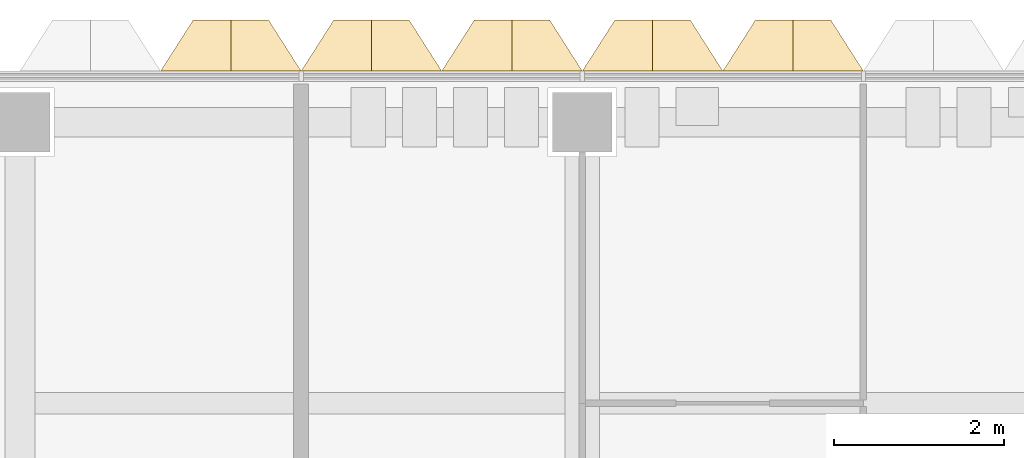
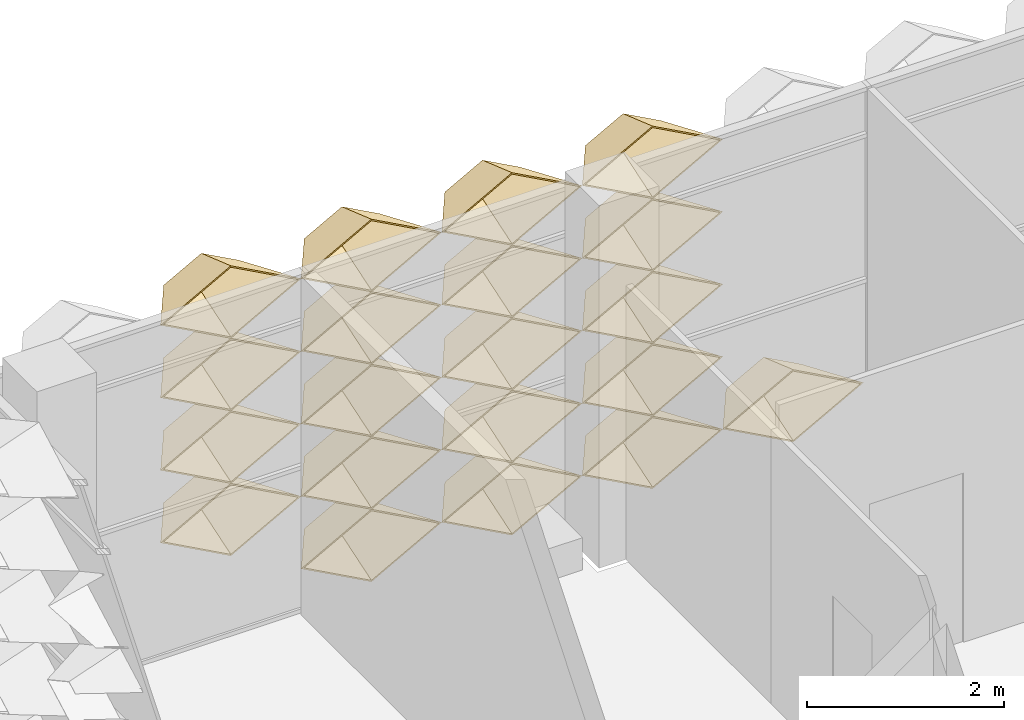
# One storey, part 25 of 29: 20 coverings.
"""IFC4 building model written with IfcOpenShell, lengths in metres."""

from ifc_helpers import new_model, entity, si_unit, direction, frame, origin, place, context, subcontext, project, spatial, material, layer, layer_set, type_object, element, save


model = new_model("IFC4")

# Units and contexts
model_context = context("Model", 3, precision=1e-05, world=origin(), true_north=direction((0.0, 1.0)))
body_context = subcontext(model_context, "Body", "Model", "MODEL_VIEW")
ifc_project = project(units=[si_unit("LENGTHUNIT", "METRE"), si_unit("AREAUNIT", "SQUARE_METRE"), si_unit("VOLUMEUNIT", "CUBIC_METRE"), si_unit("PLANEANGLEUNIT", "RADIAN"), si_unit("MASSUNIT", "GRAM", prefix="KILO")], contexts=[model_context])

# Site, building, storey
site_placement = place(None, origin())
site = spatial("IfcSite", under=ifc_project, at=site_placement, CompositionType="ELEMENT")
building_placement = place(site_placement, origin())
building = spatial("IfcBuilding", under=site, at=building_placement, Name="Lantern Court Research Institute", CompositionType="ELEMENT")
storey_placement = place(building_placement, frame((0.0, 0.0, 32.39990234375)))
storey = spatial("IfcBuildingStorey", under=building, at=storey_placement, Name="L07", CompositionType="ELEMENT", Elevation=32.39990234375)

# Coverings
ifc_material = material(Name="Anodised aluminium", Category="aluminium")
ifc_layer = layer(ifc_material, 0.01611328125)
ifc_layer_set = layer_set([ifc_layer], Name="Anodised aluminium")
covering_type = type_object("IfcCoveringType", Name="Fin cassette 1650 x 900 x 600 aluminium", PredefinedType="CLADDING", material=ifc_layer_set)
covering_1_placement = place(storey_placement, frame((56.925048828125, 23.699951171875, 0.4501953125), z_axis=(0.0, 1.0, 0.0), x_axis=(-1.0, 0.0, 0.0)))
cartesian_point_1 = entity("IfcCartesianPoint", [0.824951171875, 0.0])
cartesian_point_2 = entity("IfcCartesianPoint", [0.79150390625, 0.0])
cartesian_point_3 = entity("IfcCartesianPoint", [0.44189453125, 0.0])
cartesian_point_4 = entity("IfcCartesianPoint", [0.43359375, 0.0])
element("IfcCovering", 1, at=covering_1_placement, inside=storey, type_object=covering_type, Name="Fin cassette V5N-L07 1.35", PredefinedType="CLADDING", context=body_context, shape_type="SweptSolid", body=[
    entity("IfcExtrudedAreaSolidTapered", entity("IfcArbitraryProfileDefWithVoids", "AREA", None, entity("IfcPolyline", [cartesian_point_1, entity("IfcCartesianPoint", [0.0, 0.449951171875]), entity("IfcCartesianPoint", [-0.824951171875, 0.0]), entity("IfcCartesianPoint", [0.0, -0.449951171875]), cartesian_point_1]), [entity("IfcPolyline", [cartesian_point_2, entity("IfcCartesianPoint", [0.0, 0.431884765625]), entity("IfcCartesianPoint", [-0.79150390625, 0.0]), entity("IfcCartesianPoint", [0.0, -0.431884765625]), cartesian_point_2])]), entity("IfcAxis2Placement3D", entity("IfcCartesianPoint", [0.0, 0.0, 0.0])), entity("IfcDirection", [0.0, 0.0, 1.0]), 0.60009765625, entity("IfcArbitraryProfileDefWithVoids", "AREA", None, entity("IfcPolyline", [cartesian_point_3, entity("IfcCartesianPoint", [0.0, 0.240966796875]), entity("IfcCartesianPoint", [-0.44189453125, 0.0]), entity("IfcCartesianPoint", [0.0, -0.240966796875]), cartesian_point_3]), [entity("IfcPolyline", [cartesian_point_4, entity("IfcCartesianPoint", [0.0, 0.236572265625]), entity("IfcCartesianPoint", [-0.43359375, 0.0]), entity("IfcCartesianPoint", [0.0, -0.236572265625]), cartesian_point_4])])),
])
covering_2_placement = place(storey_placement, frame((58.574951171875, 23.699951171875, 0.4501953125), z_axis=(0.0, 1.0, 0.0), x_axis=(-1.0, 0.0, 0.0)))
cartesian_point_5 = entity("IfcCartesianPoint", [0.824951171875, 0.0])
cartesian_point_6 = entity("IfcCartesianPoint", [0.79150390625, 0.0])
cartesian_point_7 = entity("IfcCartesianPoint", [0.44189453125, 0.0])
cartesian_point_8 = entity("IfcCartesianPoint", [0.43359375, 0.0])
element("IfcCovering", 2, at=covering_2_placement, inside=storey, type_object=covering_type, Name="Fin cassette V5N-L07 1.36", PredefinedType="CLADDING", context=body_context, shape_type="SweptSolid", body=[
    entity("IfcExtrudedAreaSolidTapered", entity("IfcArbitraryProfileDefWithVoids", "AREA", None, entity("IfcPolyline", [cartesian_point_5, entity("IfcCartesianPoint", [0.0, 0.449951171875]), entity("IfcCartesianPoint", [-0.824951171875, 0.0]), entity("IfcCartesianPoint", [0.0, -0.449951171875]), cartesian_point_5]), [entity("IfcPolyline", [cartesian_point_6, entity("IfcCartesianPoint", [0.0, 0.431884765625]), entity("IfcCartesianPoint", [-0.79150390625, 0.0]), entity("IfcCartesianPoint", [0.0, -0.431884765625]), cartesian_point_6])]), entity("IfcAxis2Placement3D", entity("IfcCartesianPoint", [0.0, 0.0, 0.0])), entity("IfcDirection", [0.0, 0.0, 1.0]), 0.60009765625, entity("IfcArbitraryProfileDefWithVoids", "AREA", None, entity("IfcPolyline", [cartesian_point_7, entity("IfcCartesianPoint", [0.0, 0.240966796875]), entity("IfcCartesianPoint", [-0.44189453125, 0.0]), entity("IfcCartesianPoint", [0.0, -0.240966796875]), cartesian_point_7]), [entity("IfcPolyline", [cartesian_point_8, entity("IfcCartesianPoint", [0.0, 0.236572265625]), entity("IfcCartesianPoint", [-0.43359375, 0.0]), entity("IfcCartesianPoint", [0.0, -0.236572265625]), cartesian_point_8])])),
])
covering_3_placement = place(storey_placement, frame((60.22509765625, 23.699951171875, 0.4501953125), z_axis=(0.0, 1.0, 0.0), x_axis=(-1.0, 0.0, 0.0)))
cartesian_point_9 = entity("IfcCartesianPoint", [0.824951171875, 0.0])
cartesian_point_10 = entity("IfcCartesianPoint", [0.79150390625, 0.0])
cartesian_point_11 = entity("IfcCartesianPoint", [0.44189453125, 0.0])
cartesian_point_12 = entity("IfcCartesianPoint", [0.43359375, 0.0])
element("IfcCovering", 3, at=covering_3_placement, inside=storey, type_object=covering_type, Name="Fin cassette V5N-L07 1.37", PredefinedType="CLADDING", context=body_context, shape_type="SweptSolid", body=[
    entity("IfcExtrudedAreaSolidTapered", entity("IfcArbitraryProfileDefWithVoids", "AREA", None, entity("IfcPolyline", [cartesian_point_9, entity("IfcCartesianPoint", [0.0, 0.449951171875]), entity("IfcCartesianPoint", [-0.824951171875, 0.0]), entity("IfcCartesianPoint", [0.0, -0.449951171875]), cartesian_point_9]), [entity("IfcPolyline", [cartesian_point_10, entity("IfcCartesianPoint", [0.0, 0.431884765625]), entity("IfcCartesianPoint", [-0.79150390625, 0.0]), entity("IfcCartesianPoint", [0.0, -0.431884765625]), cartesian_point_10])]), entity("IfcAxis2Placement3D", entity("IfcCartesianPoint", [0.0, 0.0, 0.0])), entity("IfcDirection", [0.0, 0.0, 1.0]), 0.60009765625, entity("IfcArbitraryProfileDefWithVoids", "AREA", None, entity("IfcPolyline", [cartesian_point_11, entity("IfcCartesianPoint", [0.0, 0.240966796875]), entity("IfcCartesianPoint", [-0.44189453125, 0.0]), entity("IfcCartesianPoint", [0.0, -0.240966796875]), cartesian_point_11]), [entity("IfcPolyline", [cartesian_point_12, entity("IfcCartesianPoint", [0.0, 0.236572265625]), entity("IfcCartesianPoint", [-0.43359375, 0.0]), entity("IfcCartesianPoint", [0.0, -0.236572265625]), cartesian_point_12])])),
])
covering_4_placement = place(storey_placement, frame((61.875, 23.699951171875, 0.4501953125), z_axis=(0.0, 1.0, 0.0), x_axis=(-1.0, 0.0, 0.0)))
cartesian_point_13 = entity("IfcCartesianPoint", [0.824951171875, 0.0])
cartesian_point_14 = entity("IfcCartesianPoint", [0.79150390625, 0.0])
cartesian_point_15 = entity("IfcCartesianPoint", [0.44189453125, 0.0])
cartesian_point_16 = entity("IfcCartesianPoint", [0.43359375, 0.0])
element("IfcCovering", 4, at=covering_4_placement, inside=storey, type_object=covering_type, Name="Fin cassette V5N-L07 1.38", PredefinedType="CLADDING", context=body_context, shape_type="SweptSolid", body=[
    entity("IfcExtrudedAreaSolidTapered", entity("IfcArbitraryProfileDefWithVoids", "AREA", None, entity("IfcPolyline", [cartesian_point_13, entity("IfcCartesianPoint", [0.0, 0.449951171875]), entity("IfcCartesianPoint", [-0.824951171875, 0.0]), entity("IfcCartesianPoint", [0.0, -0.449951171875]), cartesian_point_13]), [entity("IfcPolyline", [cartesian_point_14, entity("IfcCartesianPoint", [0.0, 0.431884765625]), entity("IfcCartesianPoint", [-0.79150390625, 0.0]), entity("IfcCartesianPoint", [0.0, -0.431884765625]), cartesian_point_14])]), entity("IfcAxis2Placement3D", entity("IfcCartesianPoint", [0.0, 0.0, 0.0])), entity("IfcDirection", [0.0, 0.0, 1.0]), 0.60009765625, entity("IfcArbitraryProfileDefWithVoids", "AREA", None, entity("IfcPolyline", [cartesian_point_15, entity("IfcCartesianPoint", [0.0, 0.240966796875]), entity("IfcCartesianPoint", [-0.44189453125, 0.0]), entity("IfcCartesianPoint", [0.0, -0.240966796875]), cartesian_point_15]), [entity("IfcPolyline", [cartesian_point_16, entity("IfcCartesianPoint", [0.0, 0.236572265625]), entity("IfcCartesianPoint", [-0.43359375, 0.0]), entity("IfcCartesianPoint", [0.0, -0.236572265625]), cartesian_point_16])])),
])
covering_5_placement = place(storey_placement, frame((55.27490234375, 23.699951171875, 1.35009765625), z_axis=(0.0, 1.0, 0.0), x_axis=(-1.0, 0.0, 0.0)))
cartesian_point_17 = entity("IfcCartesianPoint", [0.824951171875, 0.0])
cartesian_point_18 = entity("IfcCartesianPoint", [0.79150390625, 0.0])
cartesian_point_19 = entity("IfcCartesianPoint", [0.44189453125, 0.0])
cartesian_point_20 = entity("IfcCartesianPoint", [0.43359375, 0.0])
element("IfcCovering", 5, at=covering_5_placement, inside=storey, type_object=covering_type, Name="Fin cassette V5N-L07 2.34", PredefinedType="CLADDING", context=body_context, shape_type="SweptSolid", body=[
    entity("IfcExtrudedAreaSolidTapered", entity("IfcArbitraryProfileDefWithVoids", "AREA", None, entity("IfcPolyline", [cartesian_point_17, entity("IfcCartesianPoint", [0.0, 0.449951171875]), entity("IfcCartesianPoint", [-0.824951171875, 0.0]), entity("IfcCartesianPoint", [0.0, -0.449951171875]), cartesian_point_17]), [entity("IfcPolyline", [cartesian_point_18, entity("IfcCartesianPoint", [0.0, 0.431884765625]), entity("IfcCartesianPoint", [-0.79150390625, 0.0]), entity("IfcCartesianPoint", [0.0, -0.431884765625]), cartesian_point_18])]), entity("IfcAxis2Placement3D", entity("IfcCartesianPoint", [0.0, 0.0, 0.0])), entity("IfcDirection", [0.0, 0.0, 1.0]), 0.60009765625, entity("IfcArbitraryProfileDefWithVoids", "AREA", None, entity("IfcPolyline", [cartesian_point_19, entity("IfcCartesianPoint", [0.0, 0.240966796875]), entity("IfcCartesianPoint", [-0.44189453125, 0.0]), entity("IfcCartesianPoint", [0.0, -0.240966796875]), cartesian_point_19]), [entity("IfcPolyline", [cartesian_point_20, entity("IfcCartesianPoint", [0.0, 0.236572265625]), entity("IfcCartesianPoint", [-0.43359375, 0.0]), entity("IfcCartesianPoint", [0.0, -0.236572265625]), cartesian_point_20])])),
])
covering_6_placement = place(storey_placement, frame((56.925048828125, 23.699951171875, 1.35009765625), z_axis=(0.0, 1.0, 0.0), x_axis=(-1.0, 0.0, 0.0)))
cartesian_point_21 = entity("IfcCartesianPoint", [0.824951171875, 0.0])
cartesian_point_22 = entity("IfcCartesianPoint", [0.79150390625, 0.0])
cartesian_point_23 = entity("IfcCartesianPoint", [0.44189453125, 0.0])
cartesian_point_24 = entity("IfcCartesianPoint", [0.43359375, 0.0])
element("IfcCovering", 6, at=covering_6_placement, inside=storey, type_object=covering_type, Name="Fin cassette V5N-L07 2.35", PredefinedType="CLADDING", context=body_context, shape_type="SweptSolid", body=[
    entity("IfcExtrudedAreaSolidTapered", entity("IfcArbitraryProfileDefWithVoids", "AREA", None, entity("IfcPolyline", [cartesian_point_21, entity("IfcCartesianPoint", [0.0, 0.449951171875]), entity("IfcCartesianPoint", [-0.824951171875, 0.0]), entity("IfcCartesianPoint", [0.0, -0.449951171875]), cartesian_point_21]), [entity("IfcPolyline", [cartesian_point_22, entity("IfcCartesianPoint", [0.0, 0.431884765625]), entity("IfcCartesianPoint", [-0.79150390625, 0.0]), entity("IfcCartesianPoint", [0.0, -0.431884765625]), cartesian_point_22])]), entity("IfcAxis2Placement3D", entity("IfcCartesianPoint", [0.0, 0.0, 0.0])), entity("IfcDirection", [0.0, 0.0, 1.0]), 0.60009765625, entity("IfcArbitraryProfileDefWithVoids", "AREA", None, entity("IfcPolyline", [cartesian_point_23, entity("IfcCartesianPoint", [0.0, 0.240966796875]), entity("IfcCartesianPoint", [-0.44189453125, 0.0]), entity("IfcCartesianPoint", [0.0, -0.240966796875]), cartesian_point_23]), [entity("IfcPolyline", [cartesian_point_24, entity("IfcCartesianPoint", [0.0, 0.236572265625]), entity("IfcCartesianPoint", [-0.43359375, 0.0]), entity("IfcCartesianPoint", [0.0, -0.236572265625]), cartesian_point_24])])),
])
covering_7_placement = place(storey_placement, frame((58.574951171875, 23.699951171875, 1.35009765625), z_axis=(0.0, 1.0, 0.0), x_axis=(-1.0, 0.0, 0.0)))
cartesian_point_25 = entity("IfcCartesianPoint", [0.824951171875, 0.0])
cartesian_point_26 = entity("IfcCartesianPoint", [0.79150390625, 0.0])
cartesian_point_27 = entity("IfcCartesianPoint", [0.44189453125, 0.0])
cartesian_point_28 = entity("IfcCartesianPoint", [0.43359375, 0.0])
element("IfcCovering", 7, at=covering_7_placement, inside=storey, type_object=covering_type, Name="Fin cassette V5N-L07 2.36", PredefinedType="CLADDING", context=body_context, shape_type="SweptSolid", body=[
    entity("IfcExtrudedAreaSolidTapered", entity("IfcArbitraryProfileDefWithVoids", "AREA", None, entity("IfcPolyline", [cartesian_point_25, entity("IfcCartesianPoint", [0.0, 0.449951171875]), entity("IfcCartesianPoint", [-0.824951171875, 0.0]), entity("IfcCartesianPoint", [0.0, -0.449951171875]), cartesian_point_25]), [entity("IfcPolyline", [cartesian_point_26, entity("IfcCartesianPoint", [0.0, 0.431884765625]), entity("IfcCartesianPoint", [-0.79150390625, 0.0]), entity("IfcCartesianPoint", [0.0, -0.431884765625]), cartesian_point_26])]), entity("IfcAxis2Placement3D", entity("IfcCartesianPoint", [0.0, 0.0, 0.0])), entity("IfcDirection", [0.0, 0.0, 1.0]), 0.60009765625, entity("IfcArbitraryProfileDefWithVoids", "AREA", None, entity("IfcPolyline", [cartesian_point_27, entity("IfcCartesianPoint", [0.0, 0.240966796875]), entity("IfcCartesianPoint", [-0.44189453125, 0.0]), entity("IfcCartesianPoint", [0.0, -0.240966796875]), cartesian_point_27]), [entity("IfcPolyline", [cartesian_point_28, entity("IfcCartesianPoint", [0.0, 0.236572265625]), entity("IfcCartesianPoint", [-0.43359375, 0.0]), entity("IfcCartesianPoint", [0.0, -0.236572265625]), cartesian_point_28])])),
])
covering_8_placement = place(storey_placement, frame((60.22509765625, 23.699951171875, 1.35009765625), z_axis=(0.0, 1.0, 0.0), x_axis=(-1.0, 0.0, 0.0)))
cartesian_point_29 = entity("IfcCartesianPoint", [0.824951171875, 0.0])
cartesian_point_30 = entity("IfcCartesianPoint", [0.79150390625, 0.0])
cartesian_point_31 = entity("IfcCartesianPoint", [0.44189453125, 0.0])
cartesian_point_32 = entity("IfcCartesianPoint", [0.43359375, 0.0])
element("IfcCovering", 8, at=covering_8_placement, inside=storey, type_object=covering_type, Name="Fin cassette V5N-L07 2.37", PredefinedType="CLADDING", context=body_context, shape_type="SweptSolid", body=[
    entity("IfcExtrudedAreaSolidTapered", entity("IfcArbitraryProfileDefWithVoids", "AREA", None, entity("IfcPolyline", [cartesian_point_29, entity("IfcCartesianPoint", [0.0, 0.449951171875]), entity("IfcCartesianPoint", [-0.824951171875, 0.0]), entity("IfcCartesianPoint", [0.0, -0.449951171875]), cartesian_point_29]), [entity("IfcPolyline", [cartesian_point_30, entity("IfcCartesianPoint", [0.0, 0.431884765625]), entity("IfcCartesianPoint", [-0.79150390625, 0.0]), entity("IfcCartesianPoint", [0.0, -0.431884765625]), cartesian_point_30])]), entity("IfcAxis2Placement3D", entity("IfcCartesianPoint", [0.0, 0.0, 0.0])), entity("IfcDirection", [0.0, 0.0, 1.0]), 0.60009765625, entity("IfcArbitraryProfileDefWithVoids", "AREA", None, entity("IfcPolyline", [cartesian_point_31, entity("IfcCartesianPoint", [0.0, 0.240966796875]), entity("IfcCartesianPoint", [-0.44189453125, 0.0]), entity("IfcCartesianPoint", [0.0, -0.240966796875]), cartesian_point_31]), [entity("IfcPolyline", [cartesian_point_32, entity("IfcCartesianPoint", [0.0, 0.236572265625]), entity("IfcCartesianPoint", [-0.43359375, 0.0]), entity("IfcCartesianPoint", [0.0, -0.236572265625]), cartesian_point_32])])),
])
covering_9_placement = place(storey_placement, frame((55.27490234375, 23.699951171875, 2.25), z_axis=(0.0, 1.0, 0.0), x_axis=(-1.0, 0.0, 0.0)))
cartesian_point_33 = entity("IfcCartesianPoint", [0.824951171875, 0.0])
cartesian_point_34 = entity("IfcCartesianPoint", [0.79150390625, 0.0])
cartesian_point_35 = entity("IfcCartesianPoint", [0.44189453125, 0.0])
cartesian_point_36 = entity("IfcCartesianPoint", [0.43359375, 0.0])
element("IfcCovering", 9, at=covering_9_placement, inside=storey, type_object=covering_type, Name="Fin cassette V5N-L07 3.34", PredefinedType="CLADDING", context=body_context, shape_type="SweptSolid", body=[
    entity("IfcExtrudedAreaSolidTapered", entity("IfcArbitraryProfileDefWithVoids", "AREA", None, entity("IfcPolyline", [cartesian_point_33, entity("IfcCartesianPoint", [0.0, 0.449951171875]), entity("IfcCartesianPoint", [-0.824951171875, 0.0]), entity("IfcCartesianPoint", [0.0, -0.449951171875]), cartesian_point_33]), [entity("IfcPolyline", [cartesian_point_34, entity("IfcCartesianPoint", [0.0, 0.431884765625]), entity("IfcCartesianPoint", [-0.79150390625, 0.0]), entity("IfcCartesianPoint", [0.0, -0.431884765625]), cartesian_point_34])]), entity("IfcAxis2Placement3D", entity("IfcCartesianPoint", [0.0, 0.0, 0.0])), entity("IfcDirection", [0.0, 0.0, 1.0]), 0.60009765625, entity("IfcArbitraryProfileDefWithVoids", "AREA", None, entity("IfcPolyline", [cartesian_point_35, entity("IfcCartesianPoint", [0.0, 0.240966796875]), entity("IfcCartesianPoint", [-0.44189453125, 0.0]), entity("IfcCartesianPoint", [0.0, -0.240966796875]), cartesian_point_35]), [entity("IfcPolyline", [cartesian_point_36, entity("IfcCartesianPoint", [0.0, 0.236572265625]), entity("IfcCartesianPoint", [-0.43359375, 0.0]), entity("IfcCartesianPoint", [0.0, -0.236572265625]), cartesian_point_36])])),
])
covering_10_placement = place(storey_placement, frame((56.925048828125, 23.699951171875, 2.25), z_axis=(0.0, 1.0, 0.0), x_axis=(-1.0, 0.0, 0.0)))
cartesian_point_37 = entity("IfcCartesianPoint", [0.824951171875, 0.0])
cartesian_point_38 = entity("IfcCartesianPoint", [0.79150390625, 0.0])
cartesian_point_39 = entity("IfcCartesianPoint", [0.44189453125, 0.0])
cartesian_point_40 = entity("IfcCartesianPoint", [0.43359375, 0.0])
element("IfcCovering", 10, at=covering_10_placement, inside=storey, type_object=covering_type, Name="Fin cassette V5N-L07 3.35", PredefinedType="CLADDING", context=body_context, shape_type="SweptSolid", body=[
    entity("IfcExtrudedAreaSolidTapered", entity("IfcArbitraryProfileDefWithVoids", "AREA", None, entity("IfcPolyline", [cartesian_point_37, entity("IfcCartesianPoint", [0.0, 0.449951171875]), entity("IfcCartesianPoint", [-0.824951171875, 0.0]), entity("IfcCartesianPoint", [0.0, -0.449951171875]), cartesian_point_37]), [entity("IfcPolyline", [cartesian_point_38, entity("IfcCartesianPoint", [0.0, 0.431884765625]), entity("IfcCartesianPoint", [-0.79150390625, 0.0]), entity("IfcCartesianPoint", [0.0, -0.431884765625]), cartesian_point_38])]), entity("IfcAxis2Placement3D", entity("IfcCartesianPoint", [0.0, 0.0, 0.0])), entity("IfcDirection", [0.0, 0.0, 1.0]), 0.60009765625, entity("IfcArbitraryProfileDefWithVoids", "AREA", None, entity("IfcPolyline", [cartesian_point_39, entity("IfcCartesianPoint", [0.0, 0.240966796875]), entity("IfcCartesianPoint", [-0.44189453125, 0.0]), entity("IfcCartesianPoint", [0.0, -0.240966796875]), cartesian_point_39]), [entity("IfcPolyline", [cartesian_point_40, entity("IfcCartesianPoint", [0.0, 0.236572265625]), entity("IfcCartesianPoint", [-0.43359375, 0.0]), entity("IfcCartesianPoint", [0.0, -0.236572265625]), cartesian_point_40])])),
])
covering_11_placement = place(storey_placement, frame((58.574951171875, 23.699951171875, 2.25), z_axis=(0.0, 1.0, 0.0), x_axis=(-1.0, 0.0, 0.0)))
cartesian_point_41 = entity("IfcCartesianPoint", [0.824951171875, 0.0])
cartesian_point_42 = entity("IfcCartesianPoint", [0.79150390625, 0.0])
cartesian_point_43 = entity("IfcCartesianPoint", [0.44189453125, 0.0])
cartesian_point_44 = entity("IfcCartesianPoint", [0.43359375, 0.0])
element("IfcCovering", 11, at=covering_11_placement, inside=storey, type_object=covering_type, Name="Fin cassette V5N-L07 3.36", PredefinedType="CLADDING", context=body_context, shape_type="SweptSolid", body=[
    entity("IfcExtrudedAreaSolidTapered", entity("IfcArbitraryProfileDefWithVoids", "AREA", None, entity("IfcPolyline", [cartesian_point_41, entity("IfcCartesianPoint", [0.0, 0.449951171875]), entity("IfcCartesianPoint", [-0.824951171875, 0.0]), entity("IfcCartesianPoint", [0.0, -0.449951171875]), cartesian_point_41]), [entity("IfcPolyline", [cartesian_point_42, entity("IfcCartesianPoint", [0.0, 0.431884765625]), entity("IfcCartesianPoint", [-0.79150390625, 0.0]), entity("IfcCartesianPoint", [0.0, -0.431884765625]), cartesian_point_42])]), entity("IfcAxis2Placement3D", entity("IfcCartesianPoint", [0.0, 0.0, 0.0])), entity("IfcDirection", [0.0, 0.0, 1.0]), 0.60009765625, entity("IfcArbitraryProfileDefWithVoids", "AREA", None, entity("IfcPolyline", [cartesian_point_43, entity("IfcCartesianPoint", [0.0, 0.240966796875]), entity("IfcCartesianPoint", [-0.44189453125, 0.0]), entity("IfcCartesianPoint", [0.0, -0.240966796875]), cartesian_point_43]), [entity("IfcPolyline", [cartesian_point_44, entity("IfcCartesianPoint", [0.0, 0.236572265625]), entity("IfcCartesianPoint", [-0.43359375, 0.0]), entity("IfcCartesianPoint", [0.0, -0.236572265625]), cartesian_point_44])])),
])
covering_12_placement = place(storey_placement, frame((60.22509765625, 23.699951171875, 2.25), z_axis=(0.0, 1.0, 0.0), x_axis=(-1.0, 0.0, 0.0)))
cartesian_point_45 = entity("IfcCartesianPoint", [0.824951171875, 0.0])
cartesian_point_46 = entity("IfcCartesianPoint", [0.79150390625, 0.0])
cartesian_point_47 = entity("IfcCartesianPoint", [0.44189453125, 0.0])
cartesian_point_48 = entity("IfcCartesianPoint", [0.43359375, 0.0])
element("IfcCovering", 12, at=covering_12_placement, inside=storey, type_object=covering_type, Name="Fin cassette V5N-L07 3.37", PredefinedType="CLADDING", context=body_context, shape_type="SweptSolid", body=[
    entity("IfcExtrudedAreaSolidTapered", entity("IfcArbitraryProfileDefWithVoids", "AREA", None, entity("IfcPolyline", [cartesian_point_45, entity("IfcCartesianPoint", [0.0, 0.449951171875]), entity("IfcCartesianPoint", [-0.824951171875, 0.0]), entity("IfcCartesianPoint", [0.0, -0.449951171875]), cartesian_point_45]), [entity("IfcPolyline", [cartesian_point_46, entity("IfcCartesianPoint", [0.0, 0.431884765625]), entity("IfcCartesianPoint", [-0.79150390625, 0.0]), entity("IfcCartesianPoint", [0.0, -0.431884765625]), cartesian_point_46])]), entity("IfcAxis2Placement3D", entity("IfcCartesianPoint", [0.0, 0.0, 0.0])), entity("IfcDirection", [0.0, 0.0, 1.0]), 0.60009765625, entity("IfcArbitraryProfileDefWithVoids", "AREA", None, entity("IfcPolyline", [cartesian_point_47, entity("IfcCartesianPoint", [0.0, 0.240966796875]), entity("IfcCartesianPoint", [-0.44189453125, 0.0]), entity("IfcCartesianPoint", [0.0, -0.240966796875]), cartesian_point_47]), [entity("IfcPolyline", [cartesian_point_48, entity("IfcCartesianPoint", [0.0, 0.236572265625]), entity("IfcCartesianPoint", [-0.43359375, 0.0]), entity("IfcCartesianPoint", [0.0, -0.236572265625]), cartesian_point_48])])),
])
covering_13_placement = place(storey_placement, frame((55.27490234375, 23.699951171875, 3.150146484375), z_axis=(0.0, 1.0, 0.0), x_axis=(-1.0, 0.0, 0.0)))
cartesian_point_49 = entity("IfcCartesianPoint", [0.824951171875, 0.0])
cartesian_point_50 = entity("IfcCartesianPoint", [0.79150390625, 0.0])
cartesian_point_51 = entity("IfcCartesianPoint", [0.44189453125, 0.0])
cartesian_point_52 = entity("IfcCartesianPoint", [0.43359375, 0.0])
element("IfcCovering", 13, at=covering_13_placement, inside=storey, type_object=covering_type, Name="Fin cassette V5N-L07 4.34", PredefinedType="CLADDING", context=body_context, shape_type="SweptSolid", body=[
    entity("IfcExtrudedAreaSolidTapered", entity("IfcArbitraryProfileDefWithVoids", "AREA", None, entity("IfcPolyline", [cartesian_point_49, entity("IfcCartesianPoint", [0.0, 0.449951171875]), entity("IfcCartesianPoint", [-0.824951171875, 0.0]), entity("IfcCartesianPoint", [0.0, -0.449951171875]), cartesian_point_49]), [entity("IfcPolyline", [cartesian_point_50, entity("IfcCartesianPoint", [0.0, 0.431884765625]), entity("IfcCartesianPoint", [-0.79150390625, 0.0]), entity("IfcCartesianPoint", [0.0, -0.431884765625]), cartesian_point_50])]), entity("IfcAxis2Placement3D", entity("IfcCartesianPoint", [0.0, 0.0, 0.0])), entity("IfcDirection", [0.0, 0.0, 1.0]), 0.60009765625, entity("IfcArbitraryProfileDefWithVoids", "AREA", None, entity("IfcPolyline", [cartesian_point_51, entity("IfcCartesianPoint", [0.0, 0.240966796875]), entity("IfcCartesianPoint", [-0.44189453125, 0.0]), entity("IfcCartesianPoint", [0.0, -0.240966796875]), cartesian_point_51]), [entity("IfcPolyline", [cartesian_point_52, entity("IfcCartesianPoint", [0.0, 0.236572265625]), entity("IfcCartesianPoint", [-0.43359375, 0.0]), entity("IfcCartesianPoint", [0.0, -0.236572265625]), cartesian_point_52])])),
])
covering_14_placement = place(storey_placement, frame((56.925048828125, 23.699951171875, 3.150146484375), z_axis=(0.0, 1.0, 0.0), x_axis=(-1.0, 0.0, 0.0)))
cartesian_point_53 = entity("IfcCartesianPoint", [0.824951171875, 0.0])
cartesian_point_54 = entity("IfcCartesianPoint", [0.79150390625, 0.0])
cartesian_point_55 = entity("IfcCartesianPoint", [0.44189453125, 0.0])
cartesian_point_56 = entity("IfcCartesianPoint", [0.43359375, 0.0])
element("IfcCovering", 14, at=covering_14_placement, inside=storey, type_object=covering_type, Name="Fin cassette V5N-L07 4.35", PredefinedType="CLADDING", context=body_context, shape_type="SweptSolid", body=[
    entity("IfcExtrudedAreaSolidTapered", entity("IfcArbitraryProfileDefWithVoids", "AREA", None, entity("IfcPolyline", [cartesian_point_53, entity("IfcCartesianPoint", [0.0, 0.449951171875]), entity("IfcCartesianPoint", [-0.824951171875, 0.0]), entity("IfcCartesianPoint", [0.0, -0.449951171875]), cartesian_point_53]), [entity("IfcPolyline", [cartesian_point_54, entity("IfcCartesianPoint", [0.0, 0.431884765625]), entity("IfcCartesianPoint", [-0.79150390625, 0.0]), entity("IfcCartesianPoint", [0.0, -0.431884765625]), cartesian_point_54])]), entity("IfcAxis2Placement3D", entity("IfcCartesianPoint", [0.0, 0.0, 0.0])), entity("IfcDirection", [0.0, 0.0, 1.0]), 0.60009765625, entity("IfcArbitraryProfileDefWithVoids", "AREA", None, entity("IfcPolyline", [cartesian_point_55, entity("IfcCartesianPoint", [0.0, 0.240966796875]), entity("IfcCartesianPoint", [-0.44189453125, 0.0]), entity("IfcCartesianPoint", [0.0, -0.240966796875]), cartesian_point_55]), [entity("IfcPolyline", [cartesian_point_56, entity("IfcCartesianPoint", [0.0, 0.236572265625]), entity("IfcCartesianPoint", [-0.43359375, 0.0]), entity("IfcCartesianPoint", [0.0, -0.236572265625]), cartesian_point_56])])),
])
covering_15_placement = place(storey_placement, frame((58.574951171875, 23.699951171875, 3.150146484375), z_axis=(0.0, 1.0, 0.0), x_axis=(-1.0, 0.0, 0.0)))
cartesian_point_57 = entity("IfcCartesianPoint", [0.824951171875, 0.0])
cartesian_point_58 = entity("IfcCartesianPoint", [0.79150390625, 0.0])
cartesian_point_59 = entity("IfcCartesianPoint", [0.44189453125, 0.0])
cartesian_point_60 = entity("IfcCartesianPoint", [0.43359375, 0.0])
element("IfcCovering", 15, at=covering_15_placement, inside=storey, type_object=covering_type, Name="Fin cassette V5N-L07 4.36", PredefinedType="CLADDING", context=body_context, shape_type="SweptSolid", body=[
    entity("IfcExtrudedAreaSolidTapered", entity("IfcArbitraryProfileDefWithVoids", "AREA", None, entity("IfcPolyline", [cartesian_point_57, entity("IfcCartesianPoint", [0.0, 0.449951171875]), entity("IfcCartesianPoint", [-0.824951171875, 0.0]), entity("IfcCartesianPoint", [0.0, -0.449951171875]), cartesian_point_57]), [entity("IfcPolyline", [cartesian_point_58, entity("IfcCartesianPoint", [0.0, 0.431884765625]), entity("IfcCartesianPoint", [-0.79150390625, 0.0]), entity("IfcCartesianPoint", [0.0, -0.431884765625]), cartesian_point_58])]), entity("IfcAxis2Placement3D", entity("IfcCartesianPoint", [0.0, 0.0, 0.0])), entity("IfcDirection", [0.0, 0.0, 1.0]), 0.60009765625, entity("IfcArbitraryProfileDefWithVoids", "AREA", None, entity("IfcPolyline", [cartesian_point_59, entity("IfcCartesianPoint", [0.0, 0.240966796875]), entity("IfcCartesianPoint", [-0.44189453125, 0.0]), entity("IfcCartesianPoint", [0.0, -0.240966796875]), cartesian_point_59]), [entity("IfcPolyline", [cartesian_point_60, entity("IfcCartesianPoint", [0.0, 0.236572265625]), entity("IfcCartesianPoint", [-0.43359375, 0.0]), entity("IfcCartesianPoint", [0.0, -0.236572265625]), cartesian_point_60])])),
])
covering_16_placement = place(storey_placement, frame((60.22509765625, 23.699951171875, 3.150146484375), z_axis=(0.0, 1.0, 0.0), x_axis=(-1.0, 0.0, 0.0)))
cartesian_point_61 = entity("IfcCartesianPoint", [0.824951171875, 0.0])
cartesian_point_62 = entity("IfcCartesianPoint", [0.79150390625, 0.0])
cartesian_point_63 = entity("IfcCartesianPoint", [0.44189453125, 0.0])
cartesian_point_64 = entity("IfcCartesianPoint", [0.43359375, 0.0])
element("IfcCovering", 16, at=covering_16_placement, inside=storey, type_object=covering_type, Name="Fin cassette V5N-L07 4.37", PredefinedType="CLADDING", context=body_context, shape_type="SweptSolid", body=[
    entity("IfcExtrudedAreaSolidTapered", entity("IfcArbitraryProfileDefWithVoids", "AREA", None, entity("IfcPolyline", [cartesian_point_61, entity("IfcCartesianPoint", [0.0, 0.449951171875]), entity("IfcCartesianPoint", [-0.824951171875, 0.0]), entity("IfcCartesianPoint", [0.0, -0.449951171875]), cartesian_point_61]), [entity("IfcPolyline", [cartesian_point_62, entity("IfcCartesianPoint", [0.0, 0.431884765625]), entity("IfcCartesianPoint", [-0.79150390625, 0.0]), entity("IfcCartesianPoint", [0.0, -0.431884765625]), cartesian_point_62])]), entity("IfcAxis2Placement3D", entity("IfcCartesianPoint", [0.0, 0.0, 0.0])), entity("IfcDirection", [0.0, 0.0, 1.0]), 0.60009765625, entity("IfcArbitraryProfileDefWithVoids", "AREA", None, entity("IfcPolyline", [cartesian_point_63, entity("IfcCartesianPoint", [0.0, 0.240966796875]), entity("IfcCartesianPoint", [-0.44189453125, 0.0]), entity("IfcCartesianPoint", [0.0, -0.240966796875]), cartesian_point_63]), [entity("IfcPolyline", [cartesian_point_64, entity("IfcCartesianPoint", [0.0, 0.236572265625]), entity("IfcCartesianPoint", [-0.43359375, 0.0]), entity("IfcCartesianPoint", [0.0, -0.236572265625]), cartesian_point_64])])),
])
covering_17_placement = place(storey_placement, frame((55.27490234375, 23.699951171875, 4.050048828125), z_axis=(0.0, 1.0, 0.0), x_axis=(-1.0, 0.0, 0.0)))
cartesian_point_65 = entity("IfcCartesianPoint", [0.824951171875, 0.0])
cartesian_point_66 = entity("IfcCartesianPoint", [0.79150390625, 0.0])
cartesian_point_67 = entity("IfcCartesianPoint", [0.44189453125, 0.0])
cartesian_point_68 = entity("IfcCartesianPoint", [0.43359375, 0.0])
element("IfcCovering", 17, at=covering_17_placement, inside=storey, type_object=covering_type, Name="Fin cassette V5N-L07 5.34", PredefinedType="CLADDING", context=body_context, shape_type="SweptSolid", body=[
    entity("IfcExtrudedAreaSolidTapered", entity("IfcArbitraryProfileDefWithVoids", "AREA", None, entity("IfcPolyline", [cartesian_point_65, entity("IfcCartesianPoint", [0.0, 0.449951171875]), entity("IfcCartesianPoint", [-0.824951171875, 0.0]), entity("IfcCartesianPoint", [0.0, -0.449951171875]), cartesian_point_65]), [entity("IfcPolyline", [cartesian_point_66, entity("IfcCartesianPoint", [0.0, 0.431884765625]), entity("IfcCartesianPoint", [-0.79150390625, 0.0]), entity("IfcCartesianPoint", [0.0, -0.431884765625]), cartesian_point_66])]), entity("IfcAxis2Placement3D", entity("IfcCartesianPoint", [0.0, 0.0, 0.0])), entity("IfcDirection", [0.0, 0.0, 1.0]), 0.60009765625, entity("IfcArbitraryProfileDefWithVoids", "AREA", None, entity("IfcPolyline", [cartesian_point_67, entity("IfcCartesianPoint", [0.0, 0.240966796875]), entity("IfcCartesianPoint", [-0.44189453125, 0.0]), entity("IfcCartesianPoint", [0.0, -0.240966796875]), cartesian_point_67]), [entity("IfcPolyline", [cartesian_point_68, entity("IfcCartesianPoint", [0.0, 0.236572265625]), entity("IfcCartesianPoint", [-0.43359375, 0.0]), entity("IfcCartesianPoint", [0.0, -0.236572265625]), cartesian_point_68])])),
])
covering_18_placement = place(storey_placement, frame((56.925048828125, 23.699951171875, 4.050048828125), z_axis=(0.0, 1.0, 0.0), x_axis=(-1.0, 0.0, 0.0)))
cartesian_point_69 = entity("IfcCartesianPoint", [0.824951171875, 0.0])
cartesian_point_70 = entity("IfcCartesianPoint", [0.79150390625, 0.0])
cartesian_point_71 = entity("IfcCartesianPoint", [0.44189453125, 0.0])
cartesian_point_72 = entity("IfcCartesianPoint", [0.43359375, 0.0])
element("IfcCovering", 18, at=covering_18_placement, inside=storey, type_object=covering_type, Name="Fin cassette V5N-L07 5.35", PredefinedType="CLADDING", context=body_context, shape_type="SweptSolid", body=[
    entity("IfcExtrudedAreaSolidTapered", entity("IfcArbitraryProfileDefWithVoids", "AREA", None, entity("IfcPolyline", [cartesian_point_69, entity("IfcCartesianPoint", [0.0, 0.449951171875]), entity("IfcCartesianPoint", [-0.824951171875, 0.0]), entity("IfcCartesianPoint", [0.0, -0.449951171875]), cartesian_point_69]), [entity("IfcPolyline", [cartesian_point_70, entity("IfcCartesianPoint", [0.0, 0.431884765625]), entity("IfcCartesianPoint", [-0.79150390625, 0.0]), entity("IfcCartesianPoint", [0.0, -0.431884765625]), cartesian_point_70])]), entity("IfcAxis2Placement3D", entity("IfcCartesianPoint", [0.0, 0.0, 0.0])), entity("IfcDirection", [0.0, 0.0, 1.0]), 0.60009765625, entity("IfcArbitraryProfileDefWithVoids", "AREA", None, entity("IfcPolyline", [cartesian_point_71, entity("IfcCartesianPoint", [0.0, 0.240966796875]), entity("IfcCartesianPoint", [-0.44189453125, 0.0]), entity("IfcCartesianPoint", [0.0, -0.240966796875]), cartesian_point_71]), [entity("IfcPolyline", [cartesian_point_72, entity("IfcCartesianPoint", [0.0, 0.236572265625]), entity("IfcCartesianPoint", [-0.43359375, 0.0]), entity("IfcCartesianPoint", [0.0, -0.236572265625]), cartesian_point_72])])),
])
covering_19_placement = place(storey_placement, frame((58.574951171875, 23.699951171875, 4.050048828125), z_axis=(0.0, 1.0, 0.0), x_axis=(-1.0, 0.0, 0.0)))
cartesian_point_73 = entity("IfcCartesianPoint", [0.824951171875, 0.0])
cartesian_point_74 = entity("IfcCartesianPoint", [0.79150390625, 0.0])
cartesian_point_75 = entity("IfcCartesianPoint", [0.44189453125, 0.0])
cartesian_point_76 = entity("IfcCartesianPoint", [0.43359375, 0.0])
element("IfcCovering", 19, at=covering_19_placement, inside=storey, type_object=covering_type, Name="Fin cassette V5N-L07 5.36", PredefinedType="CLADDING", context=body_context, shape_type="SweptSolid", body=[
    entity("IfcExtrudedAreaSolidTapered", entity("IfcArbitraryProfileDefWithVoids", "AREA", None, entity("IfcPolyline", [cartesian_point_73, entity("IfcCartesianPoint", [0.0, 0.449951171875]), entity("IfcCartesianPoint", [-0.824951171875, 0.0]), entity("IfcCartesianPoint", [0.0, -0.449951171875]), cartesian_point_73]), [entity("IfcPolyline", [cartesian_point_74, entity("IfcCartesianPoint", [0.0, 0.431884765625]), entity("IfcCartesianPoint", [-0.79150390625, 0.0]), entity("IfcCartesianPoint", [0.0, -0.431884765625]), cartesian_point_74])]), entity("IfcAxis2Placement3D", entity("IfcCartesianPoint", [0.0, 0.0, 0.0])), entity("IfcDirection", [0.0, 0.0, 1.0]), 0.60009765625, entity("IfcArbitraryProfileDefWithVoids", "AREA", None, entity("IfcPolyline", [cartesian_point_75, entity("IfcCartesianPoint", [0.0, 0.240966796875]), entity("IfcCartesianPoint", [-0.44189453125, 0.0]), entity("IfcCartesianPoint", [0.0, -0.240966796875]), cartesian_point_75]), [entity("IfcPolyline", [cartesian_point_76, entity("IfcCartesianPoint", [0.0, 0.236572265625]), entity("IfcCartesianPoint", [-0.43359375, 0.0]), entity("IfcCartesianPoint", [0.0, -0.236572265625]), cartesian_point_76])])),
])
covering_20_placement = place(storey_placement, frame((60.22509765625, 23.699951171875, 4.050048828125), z_axis=(0.0, 1.0, 0.0), x_axis=(-1.0, 0.0, 0.0)))
cartesian_point_77 = entity("IfcCartesianPoint", [0.824951171875, 0.0])
cartesian_point_78 = entity("IfcCartesianPoint", [0.79150390625, 0.0])
cartesian_point_79 = entity("IfcCartesianPoint", [0.44189453125, 0.0])
cartesian_point_80 = entity("IfcCartesianPoint", [0.43359375, 0.0])
element("IfcCovering", 20, at=covering_20_placement, inside=storey, type_object=covering_type, Name="Fin cassette V5N-L07 5.37", PredefinedType="CLADDING", context=body_context, shape_type="SweptSolid", body=[
    entity("IfcExtrudedAreaSolidTapered", entity("IfcArbitraryProfileDefWithVoids", "AREA", None, entity("IfcPolyline", [cartesian_point_77, entity("IfcCartesianPoint", [0.0, 0.449951171875]), entity("IfcCartesianPoint", [-0.824951171875, 0.0]), entity("IfcCartesianPoint", [0.0, -0.449951171875]), cartesian_point_77]), [entity("IfcPolyline", [cartesian_point_78, entity("IfcCartesianPoint", [0.0, 0.431884765625]), entity("IfcCartesianPoint", [-0.79150390625, 0.0]), entity("IfcCartesianPoint", [0.0, -0.431884765625]), cartesian_point_78])]), entity("IfcAxis2Placement3D", entity("IfcCartesianPoint", [0.0, 0.0, 0.0])), entity("IfcDirection", [0.0, 0.0, 1.0]), 0.60009765625, entity("IfcArbitraryProfileDefWithVoids", "AREA", None, entity("IfcPolyline", [cartesian_point_79, entity("IfcCartesianPoint", [0.0, 0.240966796875]), entity("IfcCartesianPoint", [-0.44189453125, 0.0]), entity("IfcCartesianPoint", [0.0, -0.240966796875]), cartesian_point_79]), [entity("IfcPolyline", [cartesian_point_80, entity("IfcCartesianPoint", [0.0, 0.236572265625]), entity("IfcCartesianPoint", [-0.43359375, 0.0]), entity("IfcCartesianPoint", [0.0, -0.236572265625]), cartesian_point_80])])),
])

save(model, "model.ifc")
